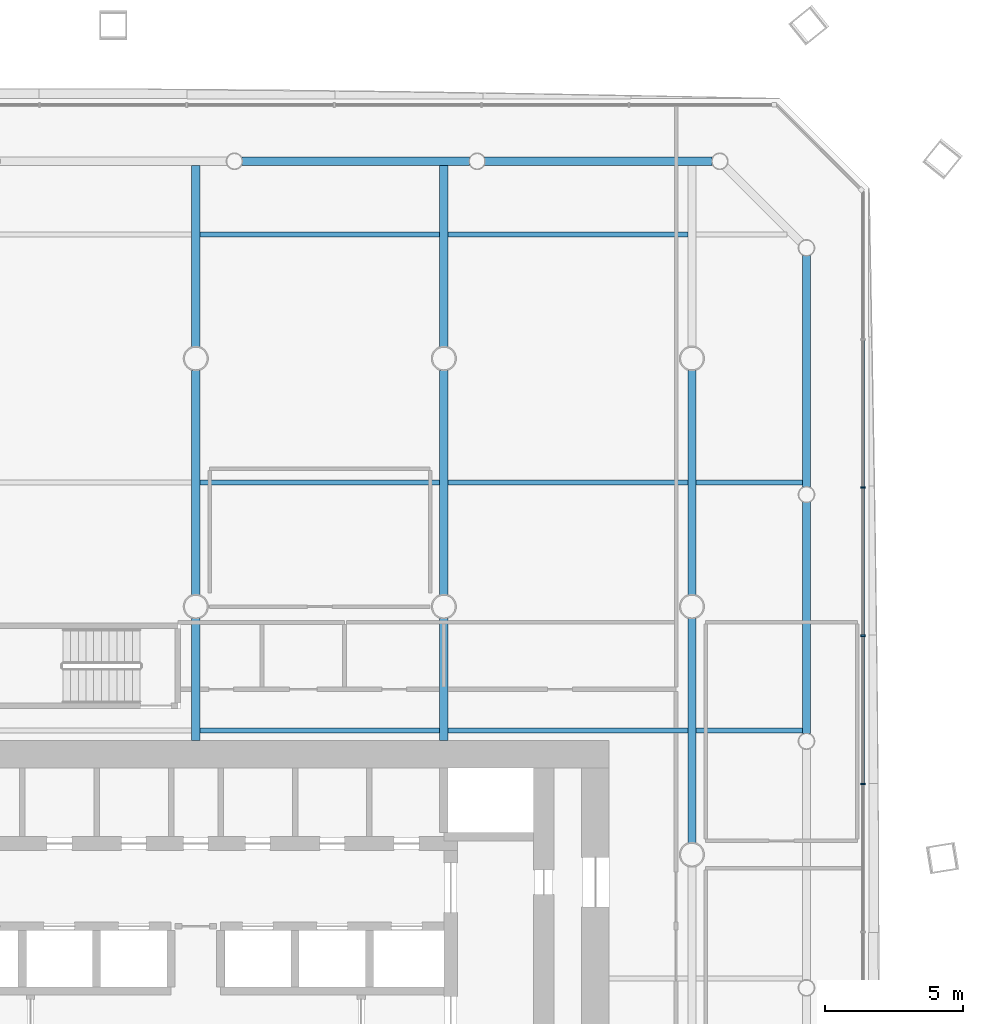
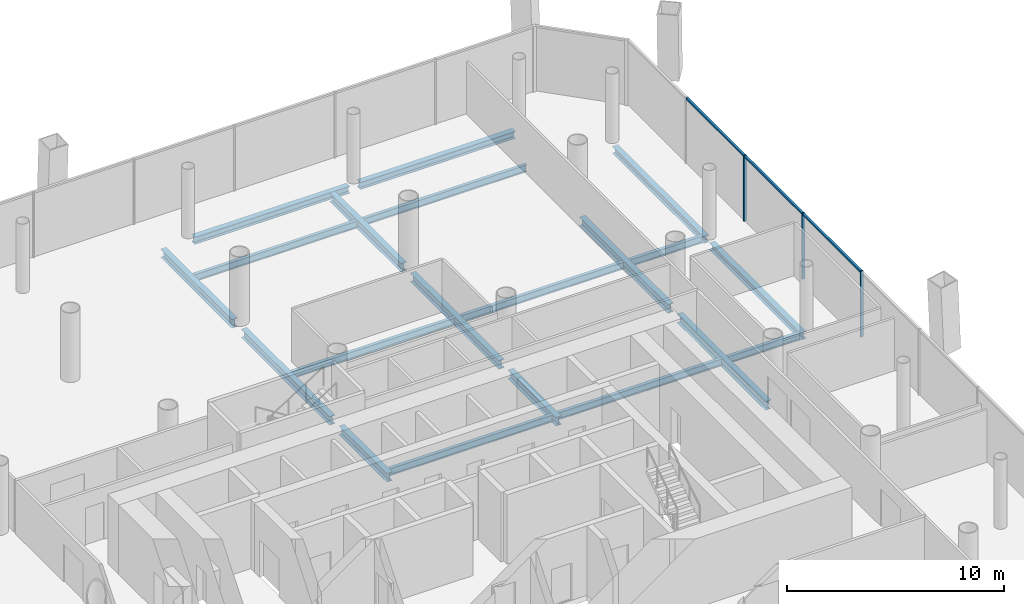
# One storey, part 11 of 22: 20 beams, 6 members, 1 element without a shape of its own.
"""IFC4 building model written with IfcOpenShell, lengths in metres."""

from ifc_helpers import new_model, si_unit, direction, frame, origin, origin_2d, place, context, subcontext, project, spatial, rectangle, i_section, extrude, material, material_profile, profile_set, type_object, element, aggregate, save


model = new_model("IFC4")

# Units and contexts
model_context = context("Model", 3, precision=1e-05, world=origin(), true_north=direction((0.0, 1.0)))
body_context = subcontext(model_context, "Body", "Model", "MODEL_VIEW")
ifc_project = project(units=[si_unit("LENGTHUNIT", "METRE"), si_unit("AREAUNIT", "SQUARE_METRE"), si_unit("VOLUMEUNIT", "CUBIC_METRE"), si_unit("PLANEANGLEUNIT", "RADIAN"), si_unit("MASSUNIT", "GRAM", prefix="KILO")], contexts=[model_context])

# Site, building, storey
site_placement = place(None, origin())
site = spatial("IfcSite", under=ifc_project, at=site_placement, CompositionType="ELEMENT")
building_placement = place(site_placement, origin())
building = spatial("IfcBuilding", under=site, at=building_placement, Name="Tskaro Facet Tower", CompositionType="ELEMENT")
storey_placement = place(building_placement, frame((0.0, 0.0, 26.39990234375)))
storey = spatial("IfcBuildingStorey", under=building, at=storey_placement, Name="L05", CompositionType="ELEMENT", Elevation=26.39990234375)

# Curtain wall, members
ifc_material_1 = material(Name="Bronze anodised aluminium 6063-T6", Category="aluminium")
curtain_wall_type = type_object("IfcCurtainWallType", Name="Bronze office curtain wall (FW1)", PredefinedType="NOTDEFINED", material=ifc_material_1)
curtain_wall_placement = place(storey_placement, origin())
curtain_wall = element("IfcCurtainWall", 1, at=curtain_wall_placement, inside=storey, type_object=curtain_wall_type, Name="FW1 east facet L05", PredefinedType="NOTDEFINED")
ifc_material_profile_1 = material_profile(ifc_material_1, rectangle(XDim=0.06005859375, YDim=0.159912109375, at=origin_2d()), Name="Mullion 60x160")
ifc_profile_set_1 = profile_set([ifc_material_profile_1], Name="Bronze anodised aluminium 6063-T6")
member_type_1 = type_object("IfcMemberType", Name="FW1 bronze mullion 60x160", PredefinedType="MULLION", material=ifc_profile_set_1)
member_1_placement = place(storey_placement, frame((24.201904296875, 2.56787109375, 0.0), z_axis=(0.0, 0.0, 1.0), x_axis=(0.0, 1.0, 0.0)))
member_1 = element("IfcMember", 2, at=member_1_placement, type_object=member_type_1, Name="FW1 east mullion 5", PredefinedType="MULLION", context=body_context, shape_type="SweptSolid", body=[
    extrude(rectangle(XDim=0.06005859375, YDim=0.159912109375, at=origin_2d()), origin(), (0.0, 0.0, 1.0), 3.7001953125),
])
member_2_placement = place(storey_placement, frame((24.201904296875, 7.9423828125, 0.0), z_axis=(0.0, 0.0, 1.0), x_axis=(0.0, 1.0, 0.0)))
member_2 = element("IfcMember", 3, at=member_2_placement, type_object=member_type_1, Name="FW1 east mullion 6", PredefinedType="MULLION", context=body_context, shape_type="SweptSolid", body=[
    extrude(rectangle(XDim=0.06005859375, YDim=0.159912109375, at=origin_2d()), origin(), (0.0, 0.0, 1.0), 3.7001953125),
])
member_3_placement = place(storey_placement, frame((24.201904296875, 13.31689453125, 0.0), z_axis=(0.0, 0.0, 1.0), x_axis=(0.0, 1.0, 0.0)))
member_3 = element("IfcMember", 4, at=member_3_placement, type_object=member_type_1, Name="FW1 east mullion 7", PredefinedType="MULLION", context=body_context, shape_type="SweptSolid", body=[
    extrude(rectangle(XDim=0.06005859375, YDim=0.159912109375, at=origin_2d()), origin(), (0.0, 0.0, 1.0), 3.7001953125),
])
ifc_material_profile_2 = material_profile(ifc_material_1, rectangle(XDim=0.1201171875, YDim=0.10009765625, at=origin_2d()), Name="Transom 120x100")
ifc_profile_set_2 = profile_set([ifc_material_profile_2], Name="Bronze anodised aluminium 6063-T6")
member_type_2 = type_object("IfcMemberType", Name="FW1 bronze transom 120x100", PredefinedType="USERDEFINED", material=ifc_profile_set_2)
member_4_placement = place(storey_placement, frame((24.201904296875, 2.59765625, 3.650146484375), z_axis=(0.0, 1.0, 0.0), x_axis=(-1.0, 0.0, 0.0)))
member_4 = element("IfcMember", 5, at=member_4_placement, type_object=member_type_2, Name="FW1 east transom 6.1", ObjectType="TRANSOM", PredefinedType="USERDEFINED", context=body_context, shape_type="SweptSolid", body=[
    extrude(rectangle(XDim=0.1201171875, YDim=0.10009765625, at=origin_2d()), origin(), (0.0, 0.0, 1.0), 5.314697265625),
])
member_5_placement = place(storey_placement, frame((24.201904296875, 7.972412109375, 3.650146484375), z_axis=(0.0, 1.0, 0.0), x_axis=(-1.0, 0.0, 0.0)))
member_5 = element("IfcMember", 6, at=member_5_placement, type_object=member_type_2, Name="FW1 east transom 7.1", ObjectType="TRANSOM", PredefinedType="USERDEFINED", context=body_context, shape_type="SweptSolid", body=[
    extrude(rectangle(XDim=0.1201171875, YDim=0.10009765625, at=origin_2d()), origin(), (0.0, 0.0, 1.0), 5.314453125),
])
member_6_placement = place(storey_placement, frame((24.201904296875, 13.346923828125, 3.650146484375), z_axis=(0.0, 1.0, 0.0), x_axis=(-1.0, 0.0, 0.0)))
member_6 = element("IfcMember", 7, at=member_6_placement, type_object=member_type_2, Name="FW1 east transom 8.1", ObjectType="TRANSOM", PredefinedType="USERDEFINED", context=body_context, shape_type="SweptSolid", body=[
    extrude(rectangle(XDim=0.1201171875, YDim=0.10009765625, at=origin_2d()), origin(), (0.0, 0.0, 1.0), 5.314453125),
])
aggregate(curtain_wall, [member_1, member_2, member_3, member_4, member_5, member_6])

# Beams
ifc_material_2 = material(Name="Steel S355J2", Category="steel")
ifc_material_profile_3 = material_profile(ifc_material_2, i_section(OverallWidth=0.300048828125, OverallDepth=0.39990234375, WebThickness=0.013427734375, FlangeThickness=0.02392578125, FilletRadius=0.027099609375, at=origin_2d()), Name="HE 400 B")
ifc_profile_set_3 = profile_set([ifc_material_profile_3], Name="Steel S355J2")
beam_type_1 = type_object("IfcBeamType", Name="HE 400 B ring beam", PredefinedType="BEAM", material=ifc_profile_set_3)
for number, where, z_axis, x_axis, name in (
    (8, (22.156982421875, 4.39111328125, -0.33984375), (0.0, 1.0, 0.0), (-1.0, 0.0, 0.0), "HE 400 B EB11-1"),
    (9, (22.156982421875, 13.339111328125, -0.33984375), (0.0, 1.0, 0.0), (-1.0, 0.0, 0.0), "HE 400 B EB12-1"),
):
    element("IfcBeam", number, at=place(storey_placement, frame(where, z_axis=z_axis, x_axis=x_axis)), inside=storey, type_object=beam_type_1, Name=name, PredefinedType="BEAM", context=body_context, shape_type="SweptSolid", body=[
        extrude(i_section(OverallWidth=0.300048828125, OverallDepth=0.39990234375, WebThickness=0.013427734375, FlangeThickness=0.02392578125, FilletRadius=0.027099609375, at=origin_2d()), origin(), (0.0, 0.0, 1.0), 8.39794921875),
    ])
beam_1_placement = place(storey_placement, frame((18.737060546875, 25.156982421875, -0.33984375), z_axis=(-1.0, 0.0, 0.0), x_axis=(0.0, -1.0, 0.0)))
element("IfcBeam", 10, at=beam_1_placement, inside=storey, type_object=beam_type_1, Name="HE 400 B EB14-1", PredefinedType="BEAM", context=body_context, shape_type="SweptSolid", body=[
    extrude(i_section(OverallWidth=0.300048828125, OverallDepth=0.39990234375, WebThickness=0.013427734375, FlangeThickness=0.02392578125, FilletRadius=0.027099609375, at=origin_2d()), origin(), (0.0, 0.0, 1.0), 8.255126953125),
])
beam_2_placement = place(storey_placement, frame((9.931884765625, 25.156982421875, -0.33984375), z_axis=(-1.0, 0.0, 0.0), x_axis=(0.0, -1.0, 0.0)))
element("IfcBeam", 11, at=beam_2_placement, inside=storey, type_object=beam_type_1, Name="HE 400 B EB15-1", PredefinedType="BEAM", context=body_context, shape_type="SweptSolid", body=[
    extrude(i_section(OverallWidth=0.300048828125, OverallDepth=0.39990234375, WebThickness=0.013427734375, FlangeThickness=0.02392578125, FilletRadius=0.027099609375, at=origin_2d()), origin(), (0.0, 0.0, 1.0), 8.2548828125),
])
ifc_material_profile_4 = material_profile(ifc_material_2, i_section(OverallWidth=0.300048828125, OverallDepth=0.489990234375, WebThickness=0.011962890625, FlangeThickness=0.02294921875, FilletRadius=0.027099609375, at=origin_2d()), Name="HE 500 A")
ifc_profile_set_4 = profile_set([ifc_material_profile_4], Name="Steel S355J2")
beam_type_2 = type_object("IfcBeamType", Name="HE 500 A girder", PredefinedType="BEAM", material=ifc_profile_set_4)
beam_3_placement = place(storey_placement, frame((0.0, 4.14990234375, -0.385009765625), z_axis=(0.0, 1.0, 0.0), x_axis=(-1.0, 0.0, 0.0)))
element("IfcBeam", 12, at=beam_3_placement, inside=storey, type_object=beam_type_2, Name="HE 500 A GB4-3-1", PredefinedType="BEAM", context=body_context, shape_type="SweptSolid", body=[
    extrude(i_section(OverallWidth=0.300048828125, OverallDepth=0.489990234375, WebThickness=0.011962890625, FlangeThickness=0.02294921875, FilletRadius=0.027099609375, at=origin_2d()), origin(), (0.0, 0.0, 1.0), 4.4228515625),
])
beam_4_placement = place(storey_placement, frame((0.0, 9.42724609375, -0.385009765625), z_axis=(0.0, 1.0, 0.0), x_axis=(-1.0, 0.0, 0.0)))
element("IfcBeam", 13, at=beam_4_placement, inside=storey, type_object=beam_type_2, Name="HE 500 A GB4-4-1", PredefinedType="BEAM", context=body_context, shape_type="SweptSolid", body=[
    extrude(i_section(OverallWidth=0.300048828125, OverallDepth=0.489990234375, WebThickness=0.011962890625, FlangeThickness=0.02294921875, FilletRadius=0.027099609375, at=origin_2d()), origin(), (0.0, 0.0, 1.0), 8.1455078125),
])
beam_5_placement = place(storey_placement, frame((0.0, 18.42724609375, -0.385009765625), z_axis=(0.0, 1.0, 0.0), x_axis=(-1.0, 0.0, 0.0)))
element("IfcBeam", 14, at=beam_5_placement, inside=storey, type_object=beam_type_2, Name="HE 500 A GB4-5-1", PredefinedType="BEAM", context=body_context, shape_type="SweptSolid", body=[
    extrude(i_section(OverallWidth=0.300048828125, OverallDepth=0.489990234375, WebThickness=0.011962890625, FlangeThickness=0.02294921875, FilletRadius=0.027099609375, at=origin_2d()), origin(), (0.0, 0.0, 1.0), 6.579833984375),
])
beam_6_placement = place(storey_placement, frame((9.0, 4.14990234375, -0.385009765625), z_axis=(0.0, 1.0, 0.0), x_axis=(-1.0, 0.0, 0.0)))
element("IfcBeam", 15, at=beam_6_placement, inside=storey, type_object=beam_type_2, Name="HE 500 A GB5-3-1", PredefinedType="BEAM", context=body_context, shape_type="SweptSolid", body=[
    extrude(i_section(OverallWidth=0.300048828125, OverallDepth=0.489990234375, WebThickness=0.011962890625, FlangeThickness=0.02294921875, FilletRadius=0.027099609375, at=origin_2d()), origin(), (0.0, 0.0, 1.0), 4.4228515625),
])
beam_7_placement = place(storey_placement, frame((9.0, 9.42724609375, -0.385009765625), z_axis=(0.0, 1.0, 0.0), x_axis=(-1.0, 0.0, 0.0)))
element("IfcBeam", 16, at=beam_7_placement, inside=storey, type_object=beam_type_2, Name="HE 500 A GB5-4-1", PredefinedType="BEAM", context=body_context, shape_type="SweptSolid", body=[
    extrude(i_section(OverallWidth=0.300048828125, OverallDepth=0.489990234375, WebThickness=0.011962890625, FlangeThickness=0.02294921875, FilletRadius=0.027099609375, at=origin_2d()), origin(), (0.0, 0.0, 1.0), 8.1455078125),
])
beam_8_placement = place(storey_placement, frame((9.0, 18.42724609375, -0.385009765625), z_axis=(0.0, 1.0, 0.0), x_axis=(-1.0, 0.0, 0.0)))
element("IfcBeam", 17, at=beam_8_placement, inside=storey, type_object=beam_type_2, Name="HE 500 A GB5-5-1", PredefinedType="BEAM", context=body_context, shape_type="SweptSolid", body=[
    extrude(i_section(OverallWidth=0.300048828125, OverallDepth=0.489990234375, WebThickness=0.011962890625, FlangeThickness=0.02294921875, FilletRadius=0.027099609375, at=origin_2d()), origin(), (0.0, 0.0, 1.0), 6.579833984375),
])
for number, where, z_axis, x_axis, name in (
    (18, (18.0, 0.42724609375, -0.385009765625), (0.0, 1.0, 0.0), (-1.0, 0.0, 0.0), "HE 500 A GB6-4-1"),
    (19, (18.0, 9.42724609375, -0.385009765625), (0.0, 1.0, 0.0), (-1.0, 0.0, 0.0), "HE 500 A GB6-5-1"),
):
    element("IfcBeam", number, at=place(storey_placement, frame(where, z_axis=z_axis, x_axis=x_axis)), inside=storey, type_object=beam_type_2, Name=name, PredefinedType="BEAM", context=body_context, shape_type="SweptSolid", body=[
        extrude(i_section(OverallWidth=0.300048828125, OverallDepth=0.489990234375, WebThickness=0.011962890625, FlangeThickness=0.02294921875, FilletRadius=0.027099609375, at=origin_2d()), origin(), (0.0, 0.0, 1.0), 8.1455078125),
    ])
ifc_material_profile_5 = material_profile(ifc_material_2, i_section(OverallWidth=0.179931640625, OverallDepth=0.39990234375, WebThickness=0.008544921875, FlangeThickness=0.013427734375, FilletRadius=0.02099609375, at=origin_2d()), Name="IPE 400")
ifc_profile_set_5 = profile_set([ifc_material_profile_5], Name="Steel S355J2")
beam_type_3 = type_object("IfcBeamType", Name="IPE 400 secondary beam", PredefinedType="BEAM", material=ifc_profile_set_5)
for number, where, z_axis, x_axis, name in (
    (20, (0.14990234375, 4.5, -0.33984375), (1.0, 0.0, 0.0), (0.0, 1.0, 0.0), "IPE 400 SB4a-4-1"),
    (21, (9.14990234375, 4.5, -0.33984375), (1.0, 0.0, 0.0), (0.0, 1.0, 0.0), "IPE 400 SB4a-5-1"),
):
    element("IfcBeam", number, at=place(storey_placement, frame(where, z_axis=z_axis, x_axis=x_axis)), inside=storey, type_object=beam_type_3, Name=name, PredefinedType="BEAM", context=body_context, shape_type="SweptSolid", body=[
        extrude(i_section(OverallWidth=0.179931640625, OverallDepth=0.39990234375, WebThickness=0.008544921875, FlangeThickness=0.013427734375, FilletRadius=0.02099609375, at=origin_2d()), origin(), (0.0, 0.0, 1.0), 8.7001953125),
    ])
beam_9_placement = place(storey_placement, frame((18.14990234375, 4.5, -0.33984375), z_axis=(1.0, 0.0, 0.0), x_axis=(0.0, 1.0, 0.0)))
element("IfcBeam", 22, at=beam_9_placement, inside=storey, type_object=beam_type_3, Name="IPE 400 SB4a-6-1", PredefinedType="BEAM", context=body_context, shape_type="SweptSolid", body=[
    extrude(i_section(OverallWidth=0.179931640625, OverallDepth=0.39990234375, WebThickness=0.008544921875, FlangeThickness=0.013427734375, FilletRadius=0.02099609375, at=origin_2d()), origin(), (0.0, 0.0, 1.0), 3.857177734375),
])
for number, where, z_axis, x_axis, name in (
    (23, (0.14990234375, 13.5, -0.33984375), (1.0, 0.0, 0.0), (0.0, 1.0, 0.0), "IPE 400 SB5a-4-1"),
    (24, (9.14990234375, 13.5, -0.33984375), (1.0, 0.0, 0.0), (0.0, 1.0, 0.0), "IPE 400 SB5a-5-1"),
):
    element("IfcBeam", number, at=place(storey_placement, frame(where, z_axis=z_axis, x_axis=x_axis)), inside=storey, type_object=beam_type_3, Name=name, PredefinedType="BEAM", context=body_context, shape_type="SweptSolid", body=[
        extrude(i_section(OverallWidth=0.179931640625, OverallDepth=0.39990234375, WebThickness=0.008544921875, FlangeThickness=0.013427734375, FilletRadius=0.02099609375, at=origin_2d()), origin(), (0.0, 0.0, 1.0), 8.7001953125),
    ])
beam_10_placement = place(storey_placement, frame((18.14990234375, 13.5, -0.33984375), z_axis=(1.0, 0.0, 0.0), x_axis=(0.0, 1.0, 0.0)))
element("IfcBeam", 25, at=beam_10_placement, inside=storey, type_object=beam_type_3, Name="IPE 400 SB5a-6-1", PredefinedType="BEAM", context=body_context, shape_type="SweptSolid", body=[
    extrude(i_section(OverallWidth=0.179931640625, OverallDepth=0.39990234375, WebThickness=0.008544921875, FlangeThickness=0.013427734375, FilletRadius=0.02099609375, at=origin_2d()), origin(), (0.0, 0.0, 1.0), 3.857177734375),
])
for number, where, z_axis, x_axis, name in (
    (26, (0.14990234375, 22.5, -0.33984375), (1.0, 0.0, 0.0), (0.0, 1.0, 0.0), "IPE 400 SB6a-4-1"),
    (27, (9.14990234375, 22.5, -0.33984375), (1.0, 0.0, 0.0), (0.0, 1.0, 0.0), "IPE 400 SB6a-5-1"),
):
    element("IfcBeam", number, at=place(storey_placement, frame(where, z_axis=z_axis, x_axis=x_axis)), inside=storey, type_object=beam_type_3, Name=name, PredefinedType="BEAM", context=body_context, shape_type="SweptSolid", body=[
        extrude(i_section(OverallWidth=0.179931640625, OverallDepth=0.39990234375, WebThickness=0.008544921875, FlangeThickness=0.013427734375, FilletRadius=0.02099609375, at=origin_2d()), origin(), (0.0, 0.0, 1.0), 8.7001953125),
    ])

save(model, "model.ifc")
